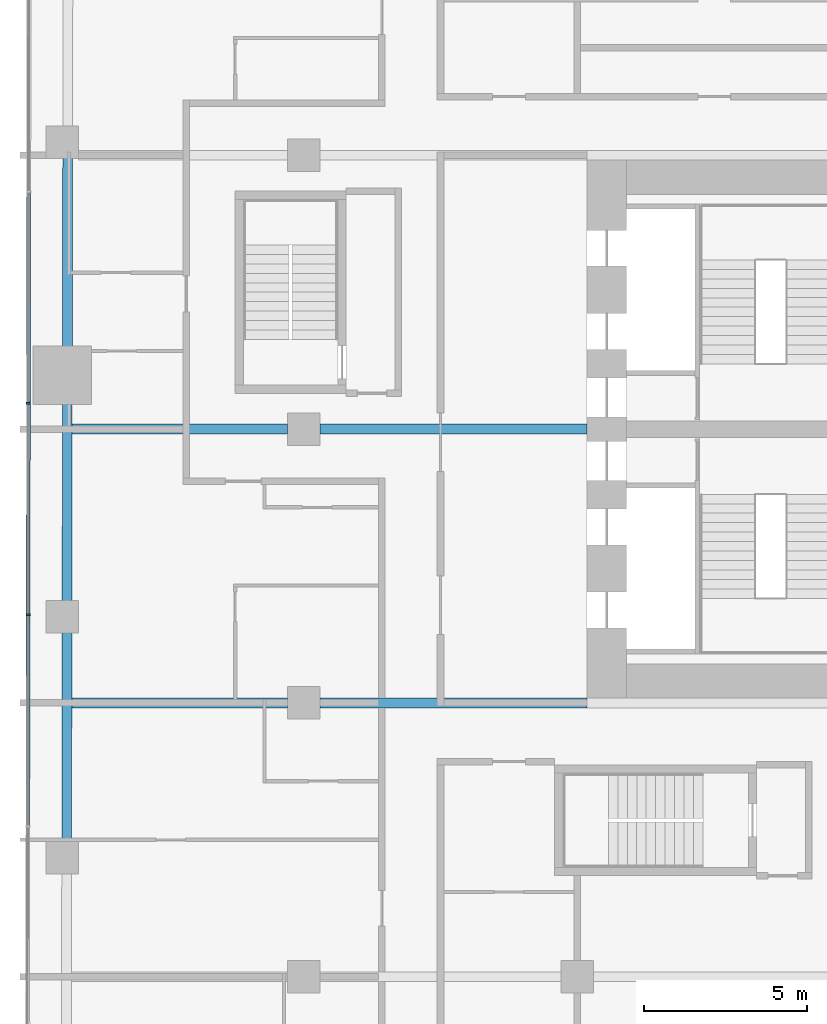
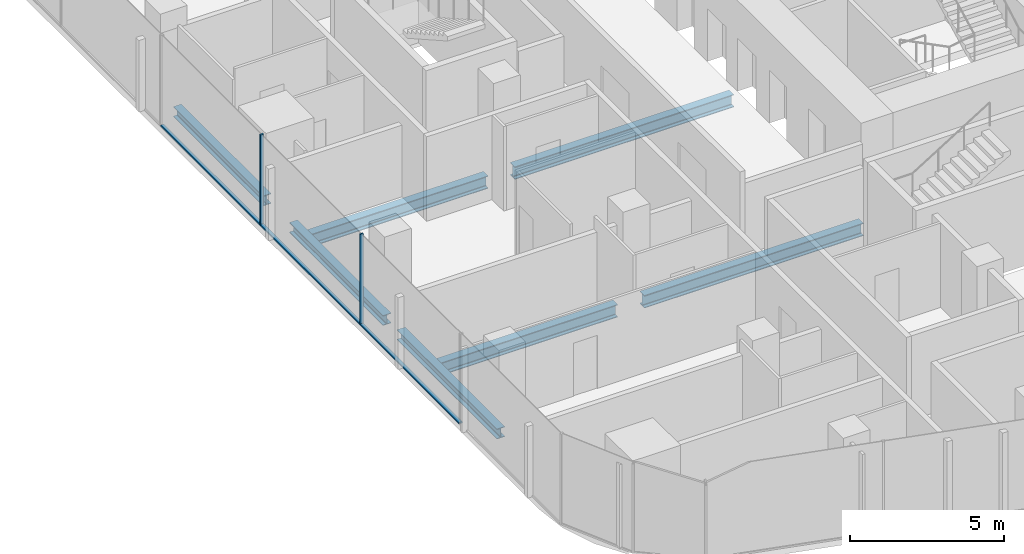
# One storey, part 4 of 26: 7 beams, 5 members, 1 element without a shape of its own.
"""IFC4 building model written with IfcOpenShell, lengths in metres."""

from ifc_helpers import new_model, si_unit, direction, frame, origin, origin_2d, place, context, subcontext, project, spatial, rectangle, i_section, extrude, material, layer, layer_set, material_profile, profile_set, type_object, element, aggregate, save


model = new_model("IFC4")

# Units and contexts
model_context = context("Model", 3, precision=1e-05, world=origin(), true_north=direction((0.0, 1.0)))
body_context = subcontext(model_context, "Body", "Model", "MODEL_VIEW")
ifc_project = project(units=[si_unit("LENGTHUNIT", "METRE"), si_unit("AREAUNIT", "SQUARE_METRE"), si_unit("VOLUMEUNIT", "CUBIC_METRE"), si_unit("PLANEANGLEUNIT", "RADIAN"), si_unit("MASSUNIT", "GRAM", prefix="KILO")], contexts=[model_context])

# Site, building, storey
site_placement = place(None, origin())
site = spatial("IfcSite", under=ifc_project, at=site_placement, CompositionType="ELEMENT")
building_placement = place(site_placement, origin())
building = spatial("IfcBuilding", under=site, at=building_placement, Name="Marenta Gate Hotel Tower", CompositionType="ELEMENT")
storey_placement = place(building_placement, frame((0.0, 0.0, 65.300048828125)))
storey = spatial("IfcBuildingStorey", under=building, at=storey_placement, Name="L14", CompositionType="ELEMENT", Elevation=65.300048828125)

# Beams
ifc_material_1 = material(Name="Steel S355", Category="steel")
ifc_material_profile_1 = material_profile(ifc_material_1, i_section(OverallWidth=0.300048828125, OverallDepth=0.39990234375, WebThickness=0.013427734375, FlangeThickness=0.02392578125, FilletRadius=0.027099609375, at=origin_2d()), Name="HEB 400")
ifc_profile_set_1 = profile_set([ifc_material_profile_1], Name="Steel S355")
beam_type_1 = type_object("IfcBeamType", Name="Edge beam HEB 400", PredefinedType="SPANDREL", material=ifc_profile_set_1)
beam_1_placement = place(storey_placement, frame((-28.267333984375, -4.2919921875, -0.4599609375), z_axis=(0.001393753119, 0.999999028726, 0.0), x_axis=(-0.999999028726, 0.001393753119, 0.0)))
element("IfcBeam", 1, at=beam_1_placement, inside=storey, type_object=beam_type_1, Name="L14-EB-6", PredefinedType="SPANDREL", context=body_context, shape_type="SweptSolid", body=[
    extrude(i_section(OverallWidth=0.300048828125, OverallDepth=0.39990234375, WebThickness=0.013427734375, FlangeThickness=0.02392578125, FilletRadius=0.027099609375, at=origin_2d()), origin(), (0.0, 0.0, 1.0), 6.481201171875),
])
beam_2_placement = place(storey_placement, frame((-28.257080078125, 3.109130859375, -0.4599609375), z_axis=(0.001405226059, 0.999999012669, 0.0), x_axis=(-0.999999012669, 0.001405226059, 0.0)))
element("IfcBeam", 2, at=beam_2_placement, inside=storey, type_object=beam_type_1, Name="L14-EB-7", PredefinedType="SPANDREL", context=body_context, shape_type="SweptSolid", body=[
    extrude(i_section(OverallWidth=0.300048828125, OverallDepth=0.39990234375, WebThickness=0.013427734375, FlangeThickness=0.02392578125, FilletRadius=0.027099609375, at=origin_2d()), origin(), (0.0, 0.0, 1.0), 6.080810546875),
])
beam_3_placement = place(storey_placement, frame((-28.246337890625, 10.909912109375, -0.4599609375), z_axis=(0.001423009483, 0.999998987521, 0.0), x_axis=(-0.999998987521, 0.001423009483, 0.0)))
element("IfcBeam", 3, at=beam_3_placement, inside=storey, type_object=beam_type_1, Name="L14-EB-8", PredefinedType="SPANDREL", context=body_context, shape_type="SweptSolid", body=[
    extrude(i_section(OverallWidth=0.300048828125, OverallDepth=0.39990234375, WebThickness=0.013427734375, FlangeThickness=0.02392578125, FilletRadius=0.027099609375, at=origin_2d()), origin(), (0.0, 0.0, 1.0), 5.833251953125),
])
ifc_material_2 = material(Name="Steel S355", Category="steel")
ifc_material_profile_2 = material_profile(ifc_material_2, i_section(OverallWidth=0.300048828125, OverallDepth=0.5, WebThickness=0.014404296875, FlangeThickness=0.028076171875, FilletRadius=0.027099609375, at=origin_2d()), Name="HEB 500")
ifc_profile_set_2 = profile_set([ifc_material_profile_2], Name="Steel S355")
beam_type_2 = type_object("IfcBeamType", Name="Girder HEB 500", PredefinedType="BEAM", material=ifc_profile_set_2)
beam_4_placement = place(storey_placement, frame((-28.111328125, 0.0, -0.510009765625), z_axis=(1.0, 0.0, 0.0), x_axis=(0.0, 1.0, 0.0)))
element("IfcBeam", 4, at=beam_4_placement, inside=storey, type_object=beam_type_2, Name="L14-GD-8", PredefinedType="BEAM", context=body_context, shape_type="SweptSolid", body=[
    extrude(i_section(OverallWidth=0.300048828125, OverallDepth=0.5, WebThickness=0.014404296875, FlangeThickness=0.028076171875, FilletRadius=0.027099609375, at=origin_2d()), origin(), (0.0, 0.0, 1.0), 6.611328125),
])
beam_5_placement = place(storey_placement, frame((-20.5, 0.0, -0.510009765625), z_axis=(1.0, 0.0, 0.0), x_axis=(0.0, 1.0, 0.0)))
element("IfcBeam", 5, at=beam_5_placement, inside=storey, type_object=beam_type_2, Name="L14-GD-9", PredefinedType="BEAM", context=body_context, shape_type="SweptSolid", body=[
    extrude(i_section(OverallWidth=0.300048828125, OverallDepth=0.5, WebThickness=0.014404296875, FlangeThickness=0.028076171875, FilletRadius=0.027099609375, at=origin_2d()), origin(), (0.0, 0.0, 1.0), 8.199951171875),
])
beam_6_placement = place(storey_placement, frame((-28.099609375, 8.39990234375, -0.510009765625), z_axis=(1.0, 0.0, 0.0), x_axis=(0.0, 1.0, 0.0)))
element("IfcBeam", 6, at=beam_6_placement, inside=storey, type_object=beam_type_2, Name="L14-GD-13", PredefinedType="BEAM", context=body_context, shape_type="SweptSolid", body=[
    extrude(i_section(OverallWidth=0.300048828125, OverallDepth=0.5, WebThickness=0.014404296875, FlangeThickness=0.028076171875, FilletRadius=0.027099609375, at=origin_2d()), origin(), (0.0, 0.0, 1.0), 6.599609375),
])
beam_7_placement = place(storey_placement, frame((-20.5, 8.39990234375, -0.510009765625), z_axis=(1.0, 0.0, 0.0), x_axis=(0.0, 1.0, 0.0)))
element("IfcBeam", 7, at=beam_7_placement, inside=storey, type_object=beam_type_2, Name="L14-GD-14", PredefinedType="BEAM", context=body_context, shape_type="SweptSolid", body=[
    extrude(i_section(OverallWidth=0.300048828125, OverallDepth=0.5, WebThickness=0.014404296875, FlangeThickness=0.028076171875, FilletRadius=0.027099609375, at=origin_2d()), origin(), (0.0, 0.0, 1.0), 8.199951171875),
])

# Curtain wall, members
ifc_material_3 = material(Name="Tinted insulated glass in bronze anodised frame", Category="glass")
ifc_layer = layer(ifc_material_3, 0.1201171875)
ifc_layer_set = layer_set([ifc_layer], Name="Tinted insulated glass in bronze anodised frame")
curtain_wall_type = type_object("IfcCurtainWallType", Name="Tower unitised curtain wall CW1", PredefinedType="NOTDEFINED", material=ifc_layer_set)
curtain_wall_placement = place(storey_placement, origin())
curtain_wall = element("IfcCurtainWall", 8, at=curtain_wall_placement, inside=storey, type_object=curtain_wall_type, Name="CW1 run G03", PredefinedType="NOTDEFINED")
ifc_material_4 = material(Name="Bronze anodised aluminium", Category="aluminium")
ifc_material_profile_3 = material_profile(ifc_material_4, rectangle(XDim=0.1201171875, YDim=0.06005859375, at=origin_2d()), Name="Mullion CW1 60x120 bronze anodised aluminium")
ifc_profile_set_3 = profile_set([ifc_material_profile_3], Name="Bronze anodised aluminium")
member_type_1 = type_object("IfcMemberType", Name="Mullion CW1 60x120 bronze anodised aluminium", PredefinedType="MULLION", material=ifc_profile_set_3)
member_1_placement = place(storey_placement, frame((-29.44287109375, 9.195068359375, 0.0), z_axis=(0.0, 0.0, 1.0), x_axis=(0.99999877316, -0.00156642217, 0.0)))
member_1 = element("IfcMember", 9, at=member_1_placement, type_object=member_type_1, Name="CW1 mullion 4", PredefinedType="MULLION", context=body_context, shape_type="SweptSolid", body=[
    extrude(rectangle(XDim=0.1201171875, YDim=0.06005859375, at=origin_2d()), origin(), (0.0, 0.0, 1.0), 3.599853515625),
])
member_2_placement = place(storey_placement, frame((-29.452880859375, 2.704833984375, 0.0), z_axis=(0.0, 0.0, 1.0), x_axis=(0.99999877316, -0.00156642217, 0.0)))
member_2 = element("IfcMember", 10, at=member_2_placement, type_object=member_type_1, Name="CW1 mullion 5", PredefinedType="MULLION", context=body_context, shape_type="SweptSolid", body=[
    extrude(rectangle(XDim=0.1201171875, YDim=0.06005859375, at=origin_2d()), origin(), (0.0, 0.0, 1.0), 3.599853515625),
])
ifc_material_5 = material(Name="Bronze anodised aluminium", Category="aluminium")
ifc_material_profile_4 = material_profile(ifc_material_5, rectangle(XDim=0.1201171875, YDim=0.06005859375, at=origin_2d()), Name="Transom CW1 60x120 bronze anodised aluminium")
ifc_profile_set_4 = profile_set([ifc_material_profile_4], Name="Bronze anodised aluminium")
member_type_2 = type_object("IfcMemberType", Name="Transom CW1 60x120 bronze anodised aluminium", PredefinedType="USERDEFINED", material=ifc_profile_set_4)
member_3_placement = place(storey_placement, frame((-29.4326171875, 15.655517578125, 0.030029296875), z_axis=(-0.001594591541, -0.999998728638, 0.0), x_axis=(0.999998728638, -0.001594591541, 0.0)))
member_3 = element("IfcMember", 11, at=member_3_placement, type_object=member_type_2, Name="CW1 transom 3.1", ObjectType="TRANSOM", PredefinedType="USERDEFINED", context=body_context, shape_type="SweptSolid", body=[
    extrude(rectangle(XDim=0.1201171875, YDim=0.06005859375, at=origin_2d()), origin(), (0.0, 0.0, 1.0), 6.430419921875),
])
member_4_placement = place(storey_placement, frame((-29.44287109375, 9.1650390625, 0.030029296875), z_axis=(-0.001556625169, -0.999998788458, 0.0), x_axis=(0.999998788458, -0.001556625169, 0.0)))
member_4 = element("IfcMember", 12, at=member_4_placement, type_object=member_type_2, Name="CW1 transom 4.1", ObjectType="TRANSOM", PredefinedType="USERDEFINED", context=body_context, shape_type="SweptSolid", body=[
    extrude(rectangle(XDim=0.1201171875, YDim=0.06005859375, at=origin_2d()), origin(), (0.0, 0.0, 1.0), 6.430419921875),
])
member_5_placement = place(storey_placement, frame((-29.453125, 2.6748046875, 0.030029296875), z_axis=(-0.001556625169, -0.999998788458, 0.0), x_axis=(0.999998788458, -0.001556625169, 0.0)))
member_5 = element("IfcMember", 13, at=member_5_placement, type_object=member_type_2, Name="CW1 transom 5.1", ObjectType="TRANSOM", PredefinedType="USERDEFINED", context=body_context, shape_type="SweptSolid", body=[
    extrude(rectangle(XDim=0.1201171875, YDim=0.06005859375, at=origin_2d()), origin(), (0.0, 0.0, 1.0), 6.430419921875),
])
aggregate(curtain_wall, [member_1, member_2, member_3, member_4, member_5])

save(model, "model.ifc")
